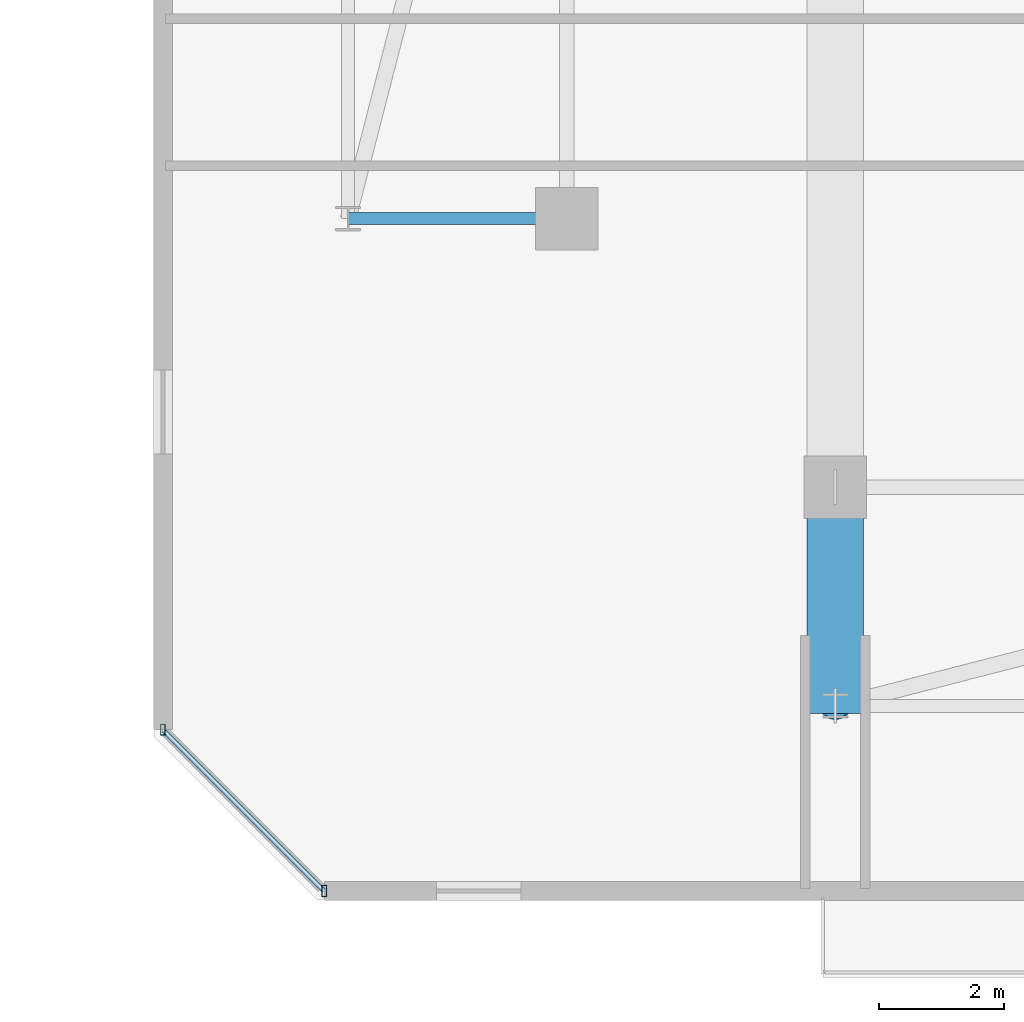
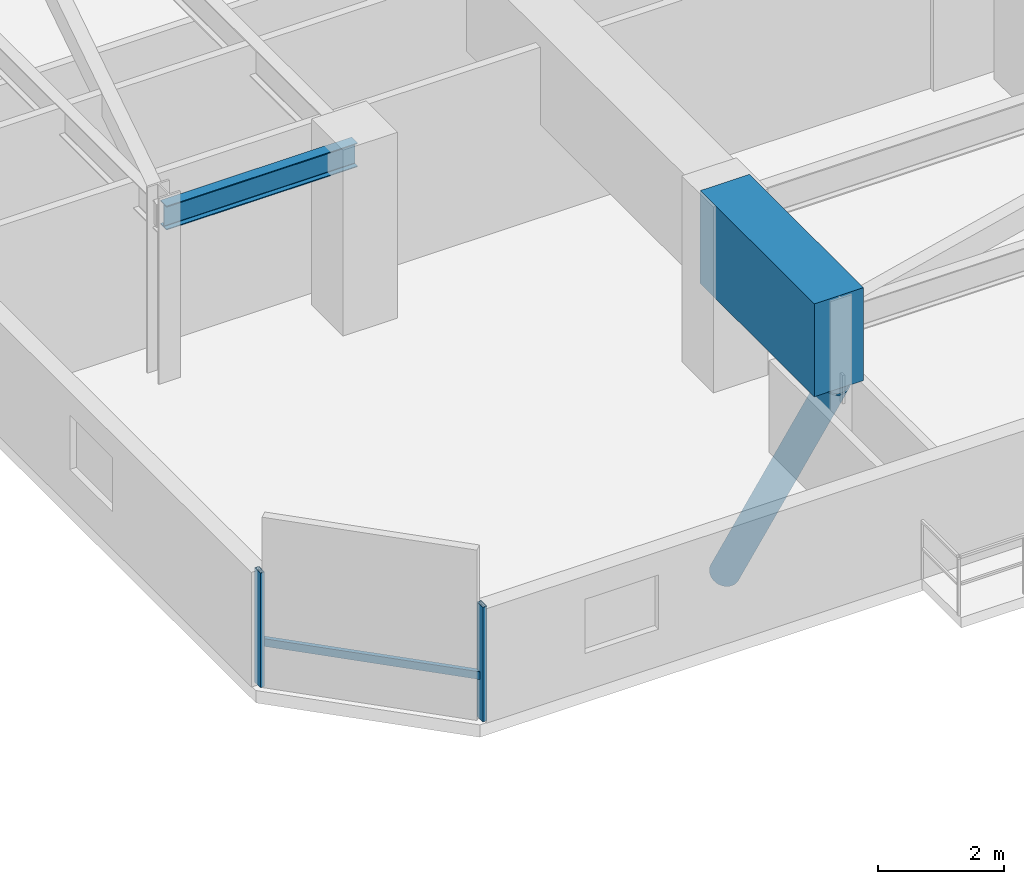
# One storey, part 11 of 35: 4 members, 2 beams, 1 element without a shape of its own.
"""IFC4 building model written with IfcOpenShell, lengths in metres."""

from ifc_helpers import new_model, si_unit, direction, frame, origin, origin_2d, place, context, subcontext, project, spatial, rectangle, hollow_rectangle, hollow_circle, i_section, extrude, material, material_profile, profile_set, type_object, element, aggregate, save


model = new_model("IFC4")

# Units and contexts
model_context = context("Model", 3, precision=1e-05, world=origin(), true_north=direction((0.0, 1.0)))
body_context = subcontext(model_context, "Body", "Model", "MODEL_VIEW")
ifc_project = project(units=[si_unit("LENGTHUNIT", "METRE"), si_unit("AREAUNIT", "SQUARE_METRE"), si_unit("VOLUMEUNIT", "CUBIC_METRE"), si_unit("PLANEANGLEUNIT", "RADIAN"), si_unit("MASSUNIT", "GRAM", prefix="KILO")], contexts=[model_context])

# Site, building, storey
site_placement = place(None, origin())
site = spatial("IfcSite", under=ifc_project, at=site_placement, CompositionType="ELEMENT")
building_placement = place(site_placement, origin())
building = spatial("IfcBuilding", under=site, at=building_placement, Name="Thornwick Lancets Civic Towers", CompositionType="ELEMENT")
storey_placement = place(building_placement, frame((0.0, 0.0, 225.89990234375)))
storey = spatial("IfcBuildingStorey", under=building, at=storey_placement, Name="L60", CompositionType="ELEMENT", Elevation=225.89990234375)

# Beams
ifc_material_1 = material(Name="Steel S355JR", Category="steel")
ifc_material_profile_1 = material_profile(ifc_material_1, i_section(OverallWidth=0.19189453125, OverallDepth=0.46337890625, WebThickness=0.010498046875, FlangeThickness=0.017578125, FilletRadius=0.01025390625, at=origin_2d()), Name="UKB 457x191x89")
ifc_profile_set_1 = profile_set([ifc_material_profile_1], Name="Steel S355JR")
beam_type_1 = type_object("IfcBeamType", Name="BM_JOIST_457_89", PredefinedType="JOIST", material=ifc_profile_set_1)
beam_1_placement = place(storey_placement, frame((71.199951171875, 14.0, 3.08837890625), z_axis=(-1.0, 0.0, 0.0), x_axis=(0.0, -1.0, 0.0)))
element("IfcBeam", 1, at=beam_1_placement, inside=storey, type_object=beam_type_1, Name="BM-RAD-L60-B07", PredefinedType="JOIST", context=body_context, shape_type="SweptSolid", body=[
    extrude(i_section(OverallWidth=0.19189453125, OverallDepth=0.46337890625, WebThickness=0.010498046875, FlangeThickness=0.017578125, FilletRadius=0.01025390625, at=origin_2d()), origin(), (0.0, 0.0, 1.0), 3.5),
])
ifc_material_2 = material(Name="Concrete C60/75", Category="concrete")
ifc_material_profile_2 = material_profile(ifc_material_2, rectangle(XDim=0.89990234375, YDim=1.800048828125, at=origin_2d()), Name="RC 900x1800")
ifc_profile_set_2 = profile_set([ifc_material_profile_2], Name="Concrete C60/75")
beam_type_2 = type_object("IfcBeamType", Name="BM_TR_RC1800", PredefinedType="BEAM", material=ifc_profile_set_2)
beam_2_placement = place(storey_placement, frame((75.5, 9.699951171875, 2.7001953125), z_axis=(0.0, -1.0, 0.0), x_axis=(1.0, 0.0, 0.0)))
element("IfcBeam", 2, at=beam_2_placement, inside=storey, type_object=beam_type_2, Name="TG-CANT-L61-B12", PredefinedType="BEAM", context=body_context, shape_type="SweptSolid", body=[
    extrude(rectangle(XDim=0.89990234375, YDim=1.800048828125, at=origin_2d()), origin(), (0.0, 0.0, 1.0), 3.619873046875),
])

# Curtain wall, members
ifc_material_3 = material(Name="High-zone chamfered-corner unitised glass curtain wall", Category="glass")
curtain_wall_type = type_object("IfcCurtainWallType", Name="CW_SYS_05", PredefinedType="NOTDEFINED", material=ifc_material_3)
curtain_wall_placement = place(storey_placement, origin())
curtain_wall = element("IfcCurtainWall", 3, at=curtain_wall_placement, inside=storey, type_object=curtain_wall_type, Name="L60 Curtain Wall CW-L60-B-E7", PredefinedType="NOTDEFINED")
ifc_material_4 = material(Name="Thermally broken bronze aluminium S355", Category="steel")
ifc_material_profile_3 = material_profile(ifc_material_4, hollow_rectangle(XDim=0.074951171875, YDim=0.179931640625, WallThickness=0.006103515625, at=origin_2d()), Name="RHS 180x75x6")
ifc_profile_set_3 = profile_set([ifc_material_profile_3], Name="Thermally broken bronze aluminium S355")
member_type_1 = type_object("IfcMemberType", Name="CW_MUL_180", PredefinedType="MULLION", material=ifc_profile_set_3)
member_1_placement = place(storey_placement, frame((64.7353515625, 5.818603515625, 0.0), z_axis=(0.0, 0.0, 1.0), x_axis=(1.0, 0.0, 0.0)))
member_1 = element("IfcMember", 4, at=member_1_placement, type_object=member_type_1, Name="CW-L60-B-E7 Mullion 0", PredefinedType="MULLION", context=body_context, shape_type="SweptSolid", body=[
    extrude(hollow_rectangle(XDim=0.074951171875, YDim=0.179931640625, WallThickness=0.006103515625, at=origin_2d()), origin(), (0.0, 0.0, 1.0), 2.22021484375),
])
member_2_placement = place(storey_placement, frame((67.318603515625, 3.2353515625, 0.0), z_axis=(0.0, 0.0, 1.0), x_axis=(1.0, 0.0, 0.0)))
member_2 = element("IfcMember", 5, at=member_2_placement, type_object=member_type_1, Name="CW-L60-B-E7 Mullion 1", PredefinedType="MULLION", context=body_context, shape_type="SweptSolid", body=[
    extrude(hollow_rectangle(XDim=0.074951171875, YDim=0.179931640625, WallThickness=0.006103515625, at=origin_2d()), origin(), (0.0, 0.0, 1.0), 2.22021484375),
])
ifc_material_profile_4 = material_profile(ifc_material_4, hollow_rectangle(XDim=0.074951171875, YDim=0.14990234375, WallThickness=0.0048828125, at=origin_2d()), Name="RHS 150x75x5")
ifc_profile_set_4 = profile_set([ifc_material_profile_4], Name="Thermally broken bronze aluminium S355")
member_type_2 = type_object("IfcMemberType", Name="CW_TRN_150", PredefinedType="USERDEFINED", material=ifc_profile_set_4)
member_3_placement = place(storey_placement, frame((64.74951171875, 5.804443359375, 0.85009765625), z_axis=(0.707106781187, -0.707106781187, 0.0), x_axis=(0.707106781187, 0.707106781187, 0.0)))
member_3 = element("IfcMember", 6, at=member_3_placement, type_object=member_type_2, Name="CW-L60-B-E7 Transom 0", ObjectType="TRANSOM", PredefinedType="USERDEFINED", context=body_context, shape_type="SweptSolid", body=[
    extrude(hollow_rectangle(XDim=0.074951171875, YDim=0.14990234375, WallThickness=0.0048828125, at=origin_2d()), origin(), (0.0, 0.0, 1.0), 3.61328125),
])
aggregate(curtain_wall, [member_1, member_2, member_3])

# Member
ifc_material_5 = material(Name="Steel S460M", Category="steel")
ifc_material_profile_5 = material_profile(ifc_material_5, hollow_circle(Radius=0.25390625, WallThickness=0.02490234375, at=origin_2d()), Name="CHS 508x25")
ifc_profile_set_5 = profile_set([ifc_material_profile_5], Name="Steel S460M")
member_type_3 = type_object("IfcMemberType", Name="MEM_STRUT_CHS508", PredefinedType="STRUT", material=ifc_profile_set_5)
member_4_placement = place(storey_placement, frame((75.5, 9.699951171875, -3.949951171875), z_axis=(0.0, -0.514706934567, 0.857366182858), x_axis=(1.0, 0.0, 0.0)))
element("IfcMember", 7, at=member_4_placement, inside=storey, type_object=member_type_3, Name="L61 Jenga Transfer Raking Strut B12", PredefinedType="STRUT", context=body_context, shape_type="SweptSolid", body=[
    extrude(hollow_circle(Radius=0.25390625, WallThickness=0.02490234375, at=origin_2d()), origin(), (0.0, 0.0, 1.0), 6.800048828125),
])

save(model, "model.ifc")
